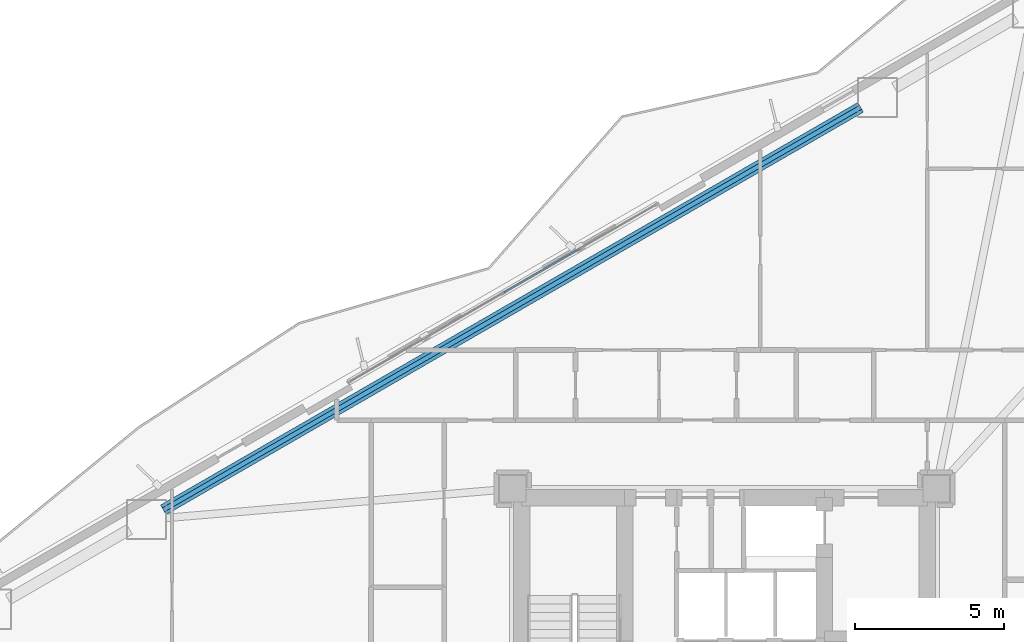
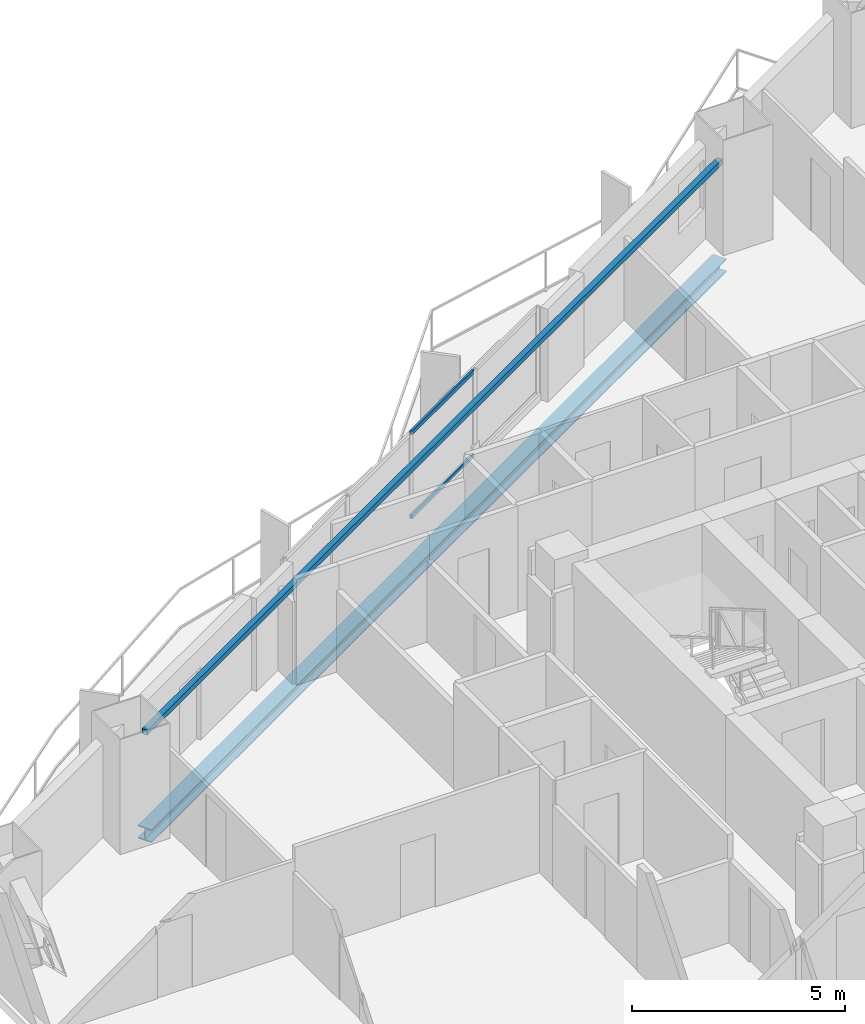
# One storey, part 8 of 19: 2 beams, 2 members, 1 element without a shape of its own.
"""IFC4 building model written with IfcOpenShell, lengths in metres."""

from ifc_helpers import new_model, si_unit, direction, frame, origin, origin_2d, place, context, subcontext, project, spatial, hollow_rectangle, i_section, extrude, material, layer, layer_set, material_profile, profile_set, type_object, element, aggregate, save


model = new_model("IFC4")

# Units and contexts
model_context = context("Model", 3, precision=1e-05, world=origin(), true_north=direction((0.0, 1.0)))
body_context = subcontext(model_context, "Body", "Model", "MODEL_VIEW")
ifc_project = project(units=[si_unit("LENGTHUNIT", "METRE"), si_unit("AREAUNIT", "SQUARE_METRE"), si_unit("VOLUMEUNIT", "CUBIC_METRE"), si_unit("PLANEANGLEUNIT", "RADIAN"), si_unit("MASSUNIT", "GRAM", prefix="KILO")], contexts=[model_context])

# Site, building, storey
site_placement = place(None, origin())
site = spatial("IfcSite", under=ifc_project, at=site_placement, CompositionType="ELEMENT")
building_placement = place(site_placement, origin())
building = spatial("IfcBuilding", under=site, at=building_placement, Name="Mersakhor Tower and Convention Hall", CompositionType="ELEMENT")
storey_placement = place(building_placement, frame((0.0, 0.0, 22.5)))
storey = spatial("IfcBuildingStorey", under=building, at=storey_placement, Name="L05", CompositionType="ELEMENT", Elevation=22.5)

# Beams
ifc_material_1 = material(Name="Steel S355", Category="steel")
ifc_material_profile_1 = material_profile(ifc_material_1, hollow_rectangle(XDim=0.14990234375, YDim=0.14990234375, WallThickness=0.010009765625, at=origin_2d()), Name="SHS 150x150x10")
ifc_profile_set_1 = profile_set([ifc_material_profile_1], Name="Steel S355")
beam_type_1 = type_object("IfcBeamType", Name="BM-GRT-SHS150", PredefinedType="USERDEFINED", material=ifc_profile_set_1)
beam_1_placement = place(storey_placement, frame((10.183837890625, 32.341064453125, 2.47998046875), z_axis=(0.866025970279, 0.499999018801, 0.0), x_axis=(-0.499999018801, 0.866025970279, 0.0)))
element("IfcBeam", 1, at=beam_1_placement, inside=storey, type_object=beam_type_1, Name="L05 Facade Support Girt GRT-F1", ObjectType="GIRT", PredefinedType="USERDEFINED", context=body_context, shape_type="SweptSolid", body=[
    extrude(hollow_rectangle(XDim=0.14990234375, YDim=0.14990234375, WallThickness=0.010009765625, at=origin_2d()), origin(), (0.0, 0.0, 1.0), 26.99951171875),
])
ifc_material_2 = material(Name="Steel S355", Category="steel")
ifc_material_profile_2 = material_profile(ifc_material_2, i_section(OverallWidth=0.374755859375, OverallDepth=0.37451171875, WebThickness=0.0166015625, FlangeThickness=0.027099609375, at=origin_2d()), Name="UC 356x368x202")
ifc_profile_set_2 = profile_set([ifc_material_profile_2], Name="Steel S355")
beam_type_2 = type_object("IfcBeamType", Name="BM-SPD-UC356", PredefinedType="SPANDREL", material=ifc_profile_set_2)
beam_2_placement = place(storey_placement, frame((10.183837890625, 32.341064453125, -0.447265625), z_axis=(0.866025970279, 0.499999018801, 0.0), x_axis=(-0.499999018801, 0.866025970279, 0.0)))
element("IfcBeam", 2, at=beam_2_placement, inside=storey, type_object=beam_type_2, Name="L05 Perimeter Spandrel Beam SPB-02", PredefinedType="SPANDREL", context=body_context, shape_type="SweptSolid", body=[
    extrude(i_section(OverallWidth=0.374755859375, OverallDepth=0.37451171875, WebThickness=0.0166015625, FlangeThickness=0.027099609375, at=origin_2d()), origin(), (0.0, 0.0, 1.0), 26.99951171875),
])

# Curtain wall, members
ifc_material_3 = material(Name="Dark solar low-E aluminium curtain wall", Category="aluminium")
ifc_layer = layer(ifc_material_3, 0.159912109375)
ifc_layer_set = layer_set([ifc_layer], Name="Dark solar low-E aluminium curtain wall")
curtain_wall_type = type_object("IfcCurtainWallType", Name="CW-SYS-01", PredefinedType="USERDEFINED", material=ifc_layer_set)
curtain_wall_placement = place(storey_placement, origin())
curtain_wall = element("IfcCurtainWall", 3, at=curtain_wall_placement, inside=storey, type_object=curtain_wall_type, Name="L05 Dark-Glass Curtain Wall F1-B2", ObjectType="CURTAIN WALL", PredefinedType="USERDEFINED")
ifc_material_4 = material(Name="Anodised aluminium EN AW-6063 T6", Category="aluminium")
ifc_material_profile_3 = material_profile(ifc_material_4, hollow_rectangle(XDim=0.06005859375, YDim=0.1201171875, WallThickness=0.0048828125, at=origin_2d()), Name="RHS 120x60x5")
ifc_profile_set_3 = profile_set([ifc_material_profile_3], Name="Anodised aluminium EN AW-6063 T6")
member_type = type_object("IfcMemberType", Name="CWT-120x60", PredefinedType="USERDEFINED", material=ifc_profile_set_3)
member_1_placement = place(storey_placement, frame((21.607421875, 39.629150390625, 0.22998046875), z_axis=(0.866015622527, 0.500016941252, 0.0), x_axis=(-0.500016941252, 0.866015622527, 0.0)))
member_1 = element("IfcMember", 4, at=member_1_placement, type_object=member_type, Name="CW-01 transom 3.1", ObjectType="TRANSOM", PredefinedType="USERDEFINED", context=body_context, shape_type="SweptSolid", body=[
    extrude(hollow_rectangle(XDim=0.06005859375, YDim=0.1201171875, WallThickness=0.0048828125, at=origin_2d()), origin(), (0.0, 0.0, 1.0), 2.91845703125),
])
member_2_placement = place(storey_placement, frame((21.607421875, 39.629150390625, 2.6298828125), z_axis=(0.866015622527, 0.500016941252, 0.0), x_axis=(-0.500016941252, 0.866015622527, 0.0)))
member_2 = element("IfcMember", 5, at=member_2_placement, type_object=member_type, Name="CW-01 transom 3.2", ObjectType="TRANSOM", PredefinedType="USERDEFINED", context=body_context, shape_type="SweptSolid", body=[
    extrude(hollow_rectangle(XDim=0.06005859375, YDim=0.1201171875, WallThickness=0.0048828125, at=origin_2d()), origin(), (0.0, 0.0, 1.0), 2.91845703125),
])
aggregate(curtain_wall, [member_1, member_2])

save(model, "model.ifc")
